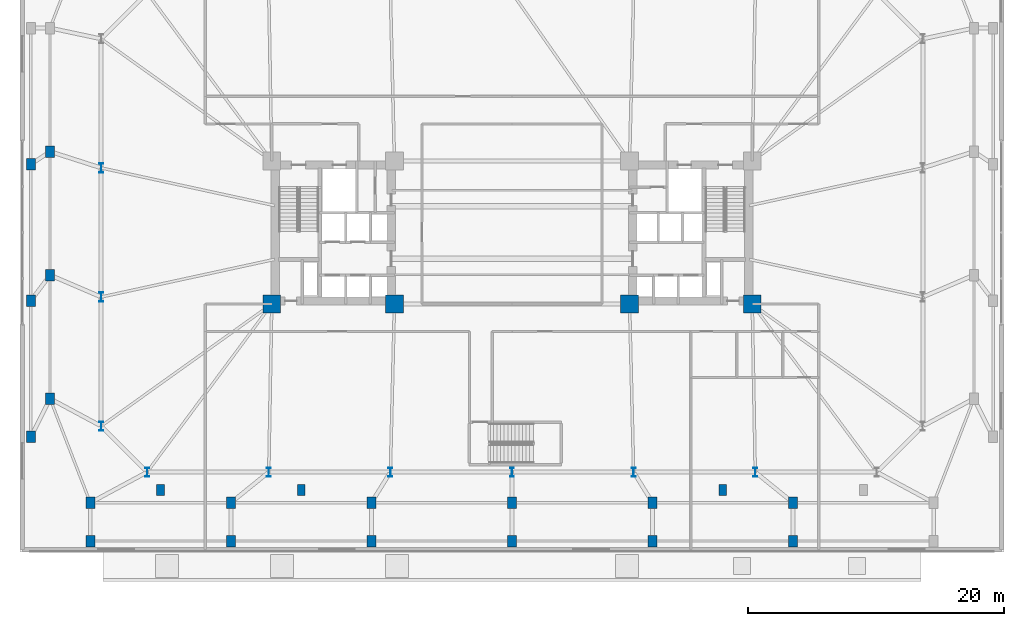
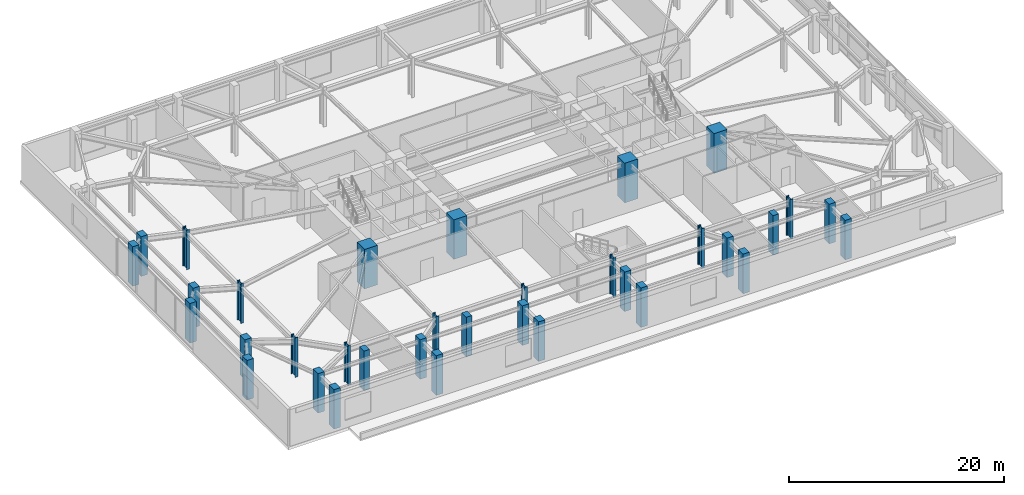
# One storey, part 1 of 21: 34 columns.
"""IFC4 building model written with IfcOpenShell, lengths in metres."""

from ifc_helpers import new_model, si_unit, direction, frame, origin, origin_2d, place, context, subcontext, project, spatial, rectangle, i_section, extrude, material, material_profile, profile_set, type_object, element, save


model = new_model("IFC4")

# Units and contexts
model_context = context("Model", 3, precision=1e-05, world=origin(), true_north=direction((0.0, 1.0)))
body_context = subcontext(model_context, "Body", "Model", "MODEL_VIEW")
ifc_project = project(units=[si_unit("LENGTHUNIT", "METRE"), si_unit("AREAUNIT", "SQUARE_METRE"), si_unit("VOLUMEUNIT", "CUBIC_METRE"), si_unit("PLANEANGLEUNIT", "RADIAN"), si_unit("MASSUNIT", "GRAM", prefix="KILO")], contexts=[model_context])

# Site, building, storey
site_placement = place(None, origin())
site = spatial("IfcSite", under=ifc_project, at=site_placement, CompositionType="ELEMENT")
building_placement = place(site_placement, origin())
building = spatial("IfcBuilding", under=site, at=building_placement, Name="Qobustan Lattice House", CompositionType="ELEMENT")
storey_placement = place(building_placement, frame((0.0, 0.0, 4.5)))
storey = spatial("IfcBuildingStorey", under=building, at=storey_placement, Name="L01", CompositionType="ELEMENT", Elevation=4.5)

# Columns
ifc_material_1 = material(Name="Concrete C50/60", Category="concrete")
ifc_material_profile_1 = material_profile(ifc_material_1, rectangle(XDim=0.60009765625, YDim=0.85009765625, at=origin_2d()), Name="RC600x850")
ifc_profile_set_1 = profile_set([ifc_material_profile_1], Name="Concrete C50/60")
column_type_1 = type_object("IfcColumnType", Name="COL-PIL-600x850", PredefinedType="PILASTER", material=ifc_profile_set_1)
for number, where, z_axis, x_axis, name in (
    (1, (-27.5, -20.14990234375, 0.0), (0.0, 0.0, 1.0), (1.0, 0.0, 0.0), "L01 colonnade pilaster S1"),
    (2, (-16.5, -20.14990234375, 0.0), (0.0, 0.0, 1.0), (1.0, 0.0, 0.0), "L01 colonnade pilaster S2"),
    (3, (16.5, -20.14990234375, 0.0), (0.0, 0.0, 1.0), (1.0, 0.0, 0.0), "L01 colonnade pilaster S3"),
):
    element("IfcColumn", number, at=place(storey_placement, frame(where, z_axis=z_axis, x_axis=x_axis)), inside=storey, type_object=column_type_1, Name=name, PredefinedType="PILASTER", context=body_context, shape_type="SweptSolid", body=[
        extrude(rectangle(XDim=0.60009765625, YDim=0.85009765625, at=origin_2d()), origin(), (0.0, 0.0, 1.0), 4.5),
    ])
ifc_material_2 = material(Name="Concrete C60/75", Category="concrete")
ifc_material_profile_2 = material_profile(ifc_material_2, rectangle(XDim=1.39990234375, YDim=1.39990234375, at=origin_2d()), Name="RC1400x1400")
ifc_profile_set_2 = profile_set([ifc_material_profile_2], Name="Concrete C60/75")
column_type_2 = type_object("IfcColumnType", Name="COL-RC-1400", PredefinedType="COLUMN", material=ifc_profile_set_2)
for number, where, z_axis, x_axis, name in (
    (4, (-18.800048828125, -5.60009765625, 0.0), (0.0, 0.0, 1.0), (1.0, 0.0, 0.0), "L01 core mega-column CW-SW"),
    (5, (-9.199951171875, -5.60009765625, 0.0), (0.0, 0.0, 1.0), (1.0, 0.0, 0.0), "L01 core mega-column CW-SE"),
    (6, (9.199951171875, -5.60009765625, 0.0), (0.0, 0.0, 1.0), (1.0, 0.0, 0.0), "L01 core mega-column CE-SW"),
    (7, (18.800048828125, -5.60009765625, 0.0), (0.0, 0.0, 1.0), (1.0, 0.0, 0.0), "L01 core mega-column CE-SE"),
):
    element("IfcColumn", number, at=place(storey_placement, frame(where, z_axis=z_axis, x_axis=x_axis)), inside=storey, type_object=column_type_2, Name=name, PredefinedType="COLUMN", context=body_context, shape_type="SweptSolid", body=[
        extrude(rectangle(XDim=1.39990234375, YDim=1.39990234375, at=origin_2d()), origin(), (0.0, 0.0, 1.0), 4.5),
    ])
ifc_material_3 = material(Name="Concrete C50/60", Category="concrete")
ifc_material_profile_3 = material_profile(ifc_material_3, rectangle(XDim=0.699951171875, YDim=0.89990234375, at=origin_2d()), Name="RC700x900")
ifc_profile_set_3 = profile_set([ifc_material_profile_3], Name="Concrete C50/60")
column_type_3 = type_object("IfcColumnType", Name="COL-RC-700x900", PredefinedType="COLUMN", material=ifc_profile_set_3)
for number, where, z_axis, x_axis, name in (
    (8, (-33.0, -21.14990234375, 0.0), (0.0, 0.0, 1.0), (1.0, 0.0, 0.0), "L01 podium column PS1"),
    (9, (-22.0, -21.14990234375, 0.0), (0.0, 0.0, 1.0), (1.0, 0.0, 0.0), "L01 podium column PS2"),
    (10, (-11.0, -21.14990234375, 0.0), (0.0, 0.0, 1.0), (1.0, 0.0, 0.0), "L01 podium column PS3"),
    (11, (0.0, -21.14990234375, 0.0), (0.0, 0.0, 1.0), (1.0, 0.0, 0.0), "L01 podium column PS4"),
    (12, (11.0, -21.14990234375, 0.0), (0.0, 0.0, 1.0), (1.0, 0.0, 0.0), "L01 podium column PS5"),
    (13, (22.0, -21.14990234375, 0.0), (0.0, 0.0, 1.0), (1.0, 0.0, 0.0), "L01 podium column PS6"),
    (14, (-36.14990234375, -13.0, 0.0), (0.0, 0.0, 1.0), (1.0, 0.0, 0.0), "L01 podium column PW1"),
    (15, (-36.14990234375, -3.333251953125, 0.0), (0.0, 0.0, 1.0), (1.0, 0.0, 0.0), "L01 podium column PW2"),
    (16, (-36.14990234375, 6.33349609375, 0.0), (0.0, 0.0, 1.0), (1.0, 0.0, 0.0), "L01 podium column PW3"),
    (17, (-33.0, -24.14990234375, 0.0), (0.0, 0.0, 1.0), (1.0, 0.0, 0.0), "L01 lower podium perimeter column PSL1"),
    (18, (-22.0, -24.14990234375, 0.0), (0.0, 0.0, 1.0), (1.0, 0.0, 0.0), "L01 lower podium perimeter column PSL2"),
    (19, (-11.0, -24.14990234375, 0.0), (0.0, 0.0, 1.0), (1.0, 0.0, 0.0), "L01 lower podium perimeter column PSL3"),
    (20, (0.0, -24.14990234375, 0.0), (0.0, 0.0, 1.0), (1.0, 0.0, 0.0), "L01 lower podium perimeter column PSL4"),
    (21, (11.0, -24.14990234375, 0.0), (0.0, 0.0, 1.0), (1.0, 0.0, 0.0), "L01 lower podium perimeter column PSL5"),
    (22, (22.0, -24.14990234375, 0.0), (0.0, 0.0, 1.0), (1.0, 0.0, 0.0), "L01 lower podium perimeter column PSL6"),
    (23, (-37.64990234375, -16.0, 0.0), (0.0, 0.0, 1.0), (1.0, 0.0, 0.0), "L01 lower podium perimeter column PWL1"),
    (24, (-37.64990234375, -5.333251953125, 0.0), (0.0, 0.0, 1.0), (1.0, 0.0, 0.0), "L01 lower podium perimeter column PWL2"),
    (25, (-37.64990234375, 5.33349609375, 0.0), (0.0, 0.0, 1.0), (1.0, 0.0, 0.0), "L01 lower podium perimeter column PWL3"),
):
    element("IfcColumn", number, at=place(storey_placement, frame(where, z_axis=z_axis, x_axis=x_axis)), inside=storey, type_object=column_type_3, Name=name, PredefinedType="COLUMN", context=body_context, shape_type="SweptSolid", body=[
        extrude(rectangle(XDim=0.699951171875, YDim=0.89990234375, at=origin_2d()), origin(), (0.0, 0.0, 1.0), 4.5),
    ])
ifc_material_4 = material(Name="Steel S460", Category="steel")
ifc_material_profile_4 = material_profile(ifc_material_4, i_section(OverallWidth=0.303955078125, OverallDepth=0.716064453125, WebThickness=0.02099609375, FlangeThickness=0.0400390625, FilletRadius=0.027099609375, at=origin_2d()), Name="HEM700")
ifc_profile_set_4 = profile_set([ifc_material_profile_4], Name="Steel S460")
column_type_4 = type_object("IfcColumnType", Name="COL-ST-HEM700", PredefinedType="COLUMN", material=ifc_profile_set_4)
for number, where, z_axis, x_axis, name in (
    (26, (-28.550048828125, -18.75, 0.0), (0.0, 0.0, 1.0), (1.0, 0.0, 0.0), "L01 tower base column S1"),
    (27, (-19.033203125, -18.75, 0.0), (0.0, 0.0, 1.0), (1.0, 0.0, 0.0), "L01 tower base column S2"),
    (28, (-9.5166015625, -18.75, 0.0), (0.0, 0.0, 1.0), (1.0, 0.0, 0.0), "L01 tower base column S3"),
    (29, (0.0, -18.75, 0.0), (0.0, 0.0, 1.0), (1.0, 0.0, 0.0), "L01 tower base column S4"),
    (30, (9.5166015625, -18.75, 0.0), (0.0, 0.0, 1.0), (1.0, 0.0, 0.0), "L01 tower base column S5"),
    (31, (19.033203125, -18.75, 0.0), (0.0, 0.0, 1.0), (1.0, 0.0, 0.0), "L01 tower base column S6"),
    (32, (-32.14990234375, 5.050048828125, 0.0), (0.0, 0.0, 1.0), (1.0, 0.0, 0.0), "L01 tower base column W2"),
    (33, (-32.14990234375, -5.050048828125, 0.0), (0.0, 0.0, 1.0), (1.0, 0.0, 0.0), "L01 tower base column W3"),
    (34, (-32.14990234375, -15.14990234375, 0.0), (0.0, 0.0, 1.0), (1.0, 0.0, 0.0), "L01 tower base column W4"),
):
    element("IfcColumn", number, at=place(storey_placement, frame(where, z_axis=z_axis, x_axis=x_axis)), inside=storey, type_object=column_type_4, Name=name, PredefinedType="COLUMN", context=body_context, shape_type="SweptSolid", body=[
        extrude(i_section(OverallWidth=0.303955078125, OverallDepth=0.716064453125, WebThickness=0.02099609375, FlangeThickness=0.0400390625, FilletRadius=0.027099609375, at=origin_2d()), origin(), (0.0, 0.0, 1.0), 4.5),
    ])

save(model, "model.ifc")
